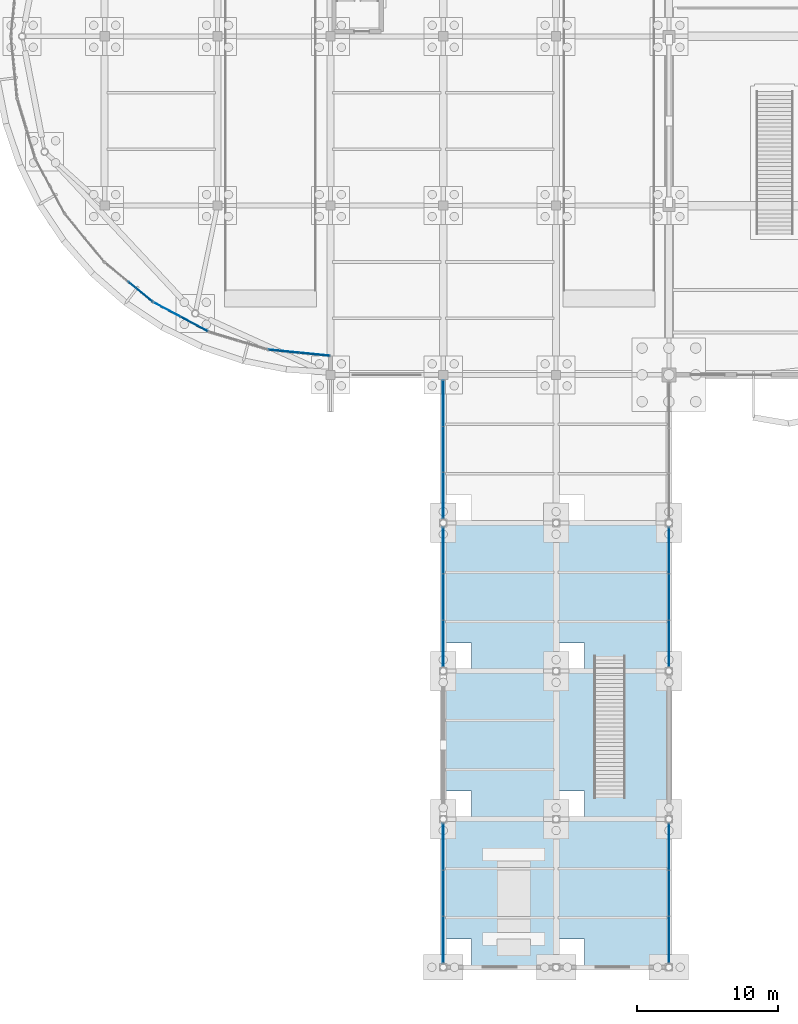
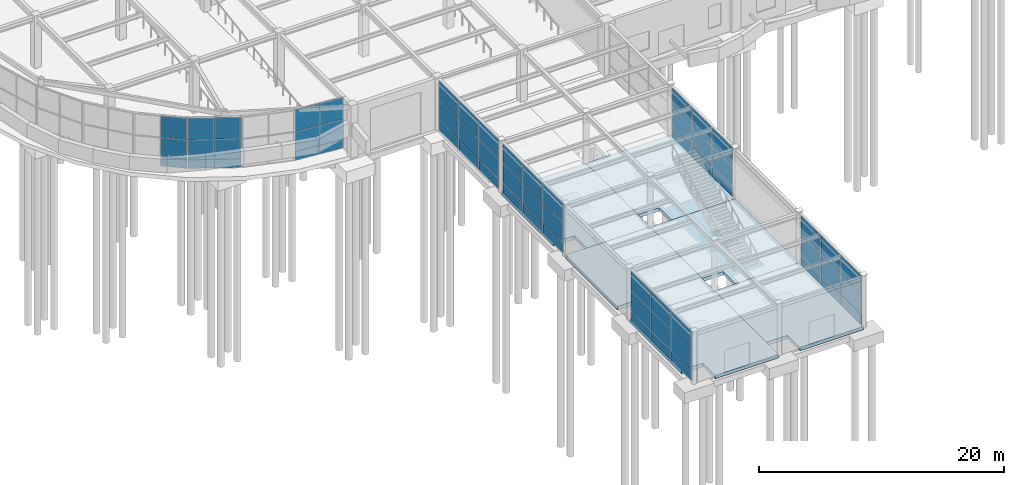
# One storey, part 51 of 85: 60 plates, 6 slabs, 8 elements without a shape of their own.
"""IFC4 building model written with IfcOpenShell, lengths in metres."""

from ifc_helpers import new_model, si_unit, direction, frame, origin, origin_2d, place, context, subcontext, project, spatial, polyline, rectangle, outline, extrude, material, layer, layer_set, type_object, element, aggregate, save


model = new_model("IFC4")

# Units and contexts
model_context = context("Model", 3, precision=1e-05, world=origin(), true_north=direction((0.0, 1.0)))
body_context = subcontext(model_context, "Body", "Model", "MODEL_VIEW")
ifc_project = project(units=[si_unit("LENGTHUNIT", "METRE"), si_unit("AREAUNIT", "SQUARE_METRE"), si_unit("VOLUMEUNIT", "CUBIC_METRE"), si_unit("PLANEANGLEUNIT", "RADIAN"), si_unit("MASSUNIT", "GRAM", prefix="KILO")], contexts=[model_context])

# Site, building, storey
site_placement = place(None, origin())
site = spatial("IfcSite", under=ifc_project, at=site_placement, CompositionType="ELEMENT")
building_placement = place(site_placement, origin())
building = spatial("IfcBuilding", under=site, at=building_placement, Name="Keelwater Ferry Terminal", CompositionType="ELEMENT")
storey_placement = place(building_placement, origin())
storey = spatial("IfcBuildingStorey", under=building, at=storey_placement, Name="L00", CompositionType="ELEMENT", Elevation=0.0)

# Curtain wall, plates
ifc_material_1 = material(Name="Thermally broken unitised aluminium and triple glass", Category="aluminium")
ifc_layer_1 = layer(ifc_material_1, 0.179931640625)
ifc_layer_set_1 = layer_set([ifc_layer_1], Name="Thermally broken unitised aluminium and triple glass")
curtain_wall_type_1 = type_object("IfcCurtainWallType", Name="CW-08 Unitised Curtain Wall 9842x4950", PredefinedType="USERDEFINED", material=ifc_layer_set_1)
curtain_wall_1_placement = place(storey_placement, origin())
curtain_wall_1 = element("IfcCurtainWall", 1, at=curtain_wall_1_placement, inside=storey, type_object=curtain_wall_type_1, Name="Unitised Curtain Wall CW-L00-047", ObjectType="UNITISED CURTAIN WALL", PredefinedType="USERDEFINED")
ifc_material_2 = material(Name="Insulated aluminium spandrel", Category="aluminium")
ifc_layer_2 = layer(ifc_material_2, 0.080078125)
ifc_layer_set_2 = layer_set([ifc_layer_2], Name="Insulated aluminium spandrel")
plate_type_1 = type_object("IfcPlateType", Name="CWP-S1 Insulated Spandrel Panel 80", PredefinedType="CURTAIN_PANEL", material=ifc_layer_set_2)
plate_1_placement = place(storey_placement, frame((32.0, 1.96923828125, 0.0), z_axis=(0.0, 0.0, 1.0), x_axis=(0.0, 1.0, 0.0)))
plate_1 = element("IfcPlate", 2, at=plate_1_placement, type_object=plate_type_1, Name="CW-L00-047 Panel 1.1", PredefinedType="CURTAIN_PANEL", context=body_context, shape_type="SweptSolid", body=[
    extrude(rectangle(XDim=3.28076171875, YDim=0.080078125, at=origin_2d()), origin(), (0.0, 0.0, 1.0), 1.0),
])
plate_2_placement = place(storey_placement, frame((32.0, 5.25, 0.0), z_axis=(0.0, 0.0, 1.0), x_axis=(0.0, 1.0, 0.0)))
plate_2 = element("IfcPlate", 3, at=plate_2_placement, type_object=plate_type_1, Name="CW-L00-047 Panel 2.1", PredefinedType="CURTAIN_PANEL", context=body_context, shape_type="SweptSolid", body=[
    extrude(rectangle(XDim=3.28076171875, YDim=0.080078125, at=origin_2d()), origin(), (0.0, 0.0, 1.0), 1.0),
])
plate_3_placement = place(storey_placement, frame((32.0, 8.53076171875, 0.0), z_axis=(0.0, 0.0, 1.0), x_axis=(0.0, 1.0, 0.0)))
plate_3 = element("IfcPlate", 4, at=plate_3_placement, type_object=plate_type_1, Name="CW-L00-047 Panel 3.1", PredefinedType="CURTAIN_PANEL", context=body_context, shape_type="SweptSolid", body=[
    extrude(rectangle(XDim=3.28076171875, YDim=0.080078125, at=origin_2d()), origin(), (0.0, 0.0, 1.0), 1.0),
])

curtain_wall_2_placement = place(storey_placement, origin())
curtain_wall_2 = element("IfcCurtainWall", 5, at=curtain_wall_2_placement, inside=storey, type_object=curtain_wall_type_1, Name="Unitised Curtain Wall CW-L00-049", ObjectType="UNITISED CURTAIN WALL", PredefinedType="USERDEFINED")
plate_4_placement = place(storey_placement, frame((32.0, 22.96923828125, 0.0), z_axis=(0.0, 0.0, 1.0), x_axis=(0.0, 1.0, 0.0)))
plate_4 = element("IfcPlate", 6, at=plate_4_placement, type_object=plate_type_1, Name="CW-L00-049 Panel 1.1", PredefinedType="CURTAIN_PANEL", context=body_context, shape_type="SweptSolid", body=[
    extrude(rectangle(XDim=3.28076171875, YDim=0.080078125, at=origin_2d()), origin(), (0.0, 0.0, 1.0), 1.0),
])
plate_5_placement = place(storey_placement, frame((32.0, 26.25, 0.0), z_axis=(0.0, 0.0, 1.0), x_axis=(0.0, 1.0, 0.0)))
plate_5 = element("IfcPlate", 7, at=plate_5_placement, type_object=plate_type_1, Name="CW-L00-049 Panel 2.1", PredefinedType="CURTAIN_PANEL", context=body_context, shape_type="SweptSolid", body=[
    extrude(rectangle(XDim=3.28076171875, YDim=0.080078125, at=origin_2d()), origin(), (0.0, 0.0, 1.0), 1.0),
])
plate_6_placement = place(storey_placement, frame((32.0, 29.53076171875, 0.0), z_axis=(0.0, 0.0, 1.0), x_axis=(0.0, 1.0, 0.0)))
plate_6 = element("IfcPlate", 8, at=plate_6_placement, type_object=plate_type_1, Name="CW-L00-049 Panel 3.1", PredefinedType="CURTAIN_PANEL", context=body_context, shape_type="SweptSolid", body=[
    extrude(rectangle(XDim=3.28076171875, YDim=0.080078125, at=origin_2d()), origin(), (0.0, 0.0, 1.0), 1.0),
])

ifc_material_3 = material(Name="Thermally broken unitised aluminium and triple glass", Category="aluminium")
ifc_layer_3 = layer(ifc_material_3, 0.179931640625)
ifc_layer_set_3 = layer_set([ifc_layer_3], Name="Thermally broken unitised aluminium and triple glass")
curtain_wall_type_2 = type_object("IfcCurtainWallType", Name="CW-10 Unitised Curtain Wall 9771x4950", PredefinedType="USERDEFINED", material=ifc_layer_set_3)
curtain_wall_3_placement = place(storey_placement, origin())
curtain_wall_3 = element("IfcCurtainWall", 9, at=curtain_wall_3_placement, inside=storey, type_object=curtain_wall_type_2, Name="Unitised Curtain Wall CW-L00-051", ObjectType="UNITISED CURTAIN WALL", PredefinedType="USERDEFINED")
plate_7_placement = place(storey_placement, frame((32.0, 33.45751953125, 0.0), z_axis=(0.0, 0.0, 1.0), x_axis=(0.0, 1.0, 0.0)))
plate_7 = element("IfcPlate", 10, at=plate_7_placement, type_object=plate_type_1, Name="CW-L00-051 Panel 1.1", PredefinedType="CURTAIN_PANEL", context=body_context, shape_type="SweptSolid", body=[
    extrude(rectangle(XDim=3.257080078125, YDim=0.080078125, at=origin_2d()), origin(), (0.0, 0.0, 1.0), 1.0),
])
plate_8_placement = place(storey_placement, frame((32.0, 36.714599609375, 0.0), z_axis=(0.0, 0.0, 1.0), x_axis=(0.0, 1.0, 0.0)))
plate_8 = element("IfcPlate", 11, at=plate_8_placement, type_object=plate_type_1, Name="CW-L00-051 Panel 2.1", PredefinedType="CURTAIN_PANEL", context=body_context, shape_type="SweptSolid", body=[
    extrude(rectangle(XDim=3.257080078125, YDim=0.080078125, at=origin_2d()), origin(), (0.0, 0.0, 1.0), 1.0),
])
plate_9_placement = place(storey_placement, frame((32.0, 39.971435546875, 0.0), z_axis=(0.0, 0.0, 1.0), x_axis=(0.0, 1.0, 0.0)))
plate_9 = element("IfcPlate", 12, at=plate_9_placement, type_object=plate_type_1, Name="CW-L00-051 Panel 3.1", PredefinedType="CURTAIN_PANEL", context=body_context, shape_type="SweptSolid", body=[
    extrude(rectangle(XDim=3.257080078125, YDim=0.080078125, at=origin_2d()), origin(), (0.0, 0.0, 1.0), 1.0),
])

curtain_wall_4_placement = place(storey_placement, origin())
curtain_wall_4 = element("IfcCurtainWall", 13, at=curtain_wall_4_placement, inside=storey, type_object=curtain_wall_type_1, Name="Unitised Curtain Wall CW-L00-053", ObjectType="UNITISED CURTAIN WALL", PredefinedType="USERDEFINED")
plate_10_placement = place(storey_placement, frame((48.0, 1.96923828125, 0.0), z_axis=(0.0, 0.0, 1.0), x_axis=(0.0, 1.0, 0.0)))
plate_10 = element("IfcPlate", 14, at=plate_10_placement, type_object=plate_type_1, Name="CW-L00-053 Panel 1.1", PredefinedType="CURTAIN_PANEL", context=body_context, shape_type="SweptSolid", body=[
    extrude(rectangle(XDim=3.28076171875, YDim=0.080078125, at=origin_2d()), origin(), (0.0, 0.0, 1.0), 1.0),
])
plate_11_placement = place(storey_placement, frame((48.0, 5.25, 0.0), z_axis=(0.0, 0.0, 1.0), x_axis=(0.0, 1.0, 0.0)))
plate_11 = element("IfcPlate", 15, at=plate_11_placement, type_object=plate_type_1, Name="CW-L00-053 Panel 2.1", PredefinedType="CURTAIN_PANEL", context=body_context, shape_type="SweptSolid", body=[
    extrude(rectangle(XDim=3.28076171875, YDim=0.080078125, at=origin_2d()), origin(), (0.0, 0.0, 1.0), 1.0),
])
plate_12_placement = place(storey_placement, frame((48.0, 8.53076171875, 0.0), z_axis=(0.0, 0.0, 1.0), x_axis=(0.0, 1.0, 0.0)))
plate_12 = element("IfcPlate", 16, at=plate_12_placement, type_object=plate_type_1, Name="CW-L00-053 Panel 3.1", PredefinedType="CURTAIN_PANEL", context=body_context, shape_type="SweptSolid", body=[
    extrude(rectangle(XDim=3.28076171875, YDim=0.080078125, at=origin_2d()), origin(), (0.0, 0.0, 1.0), 1.0),
])

curtain_wall_5_placement = place(storey_placement, origin())
curtain_wall_5 = element("IfcCurtainWall", 17, at=curtain_wall_5_placement, inside=storey, type_object=curtain_wall_type_1, Name="Unitised Curtain Wall CW-L00-055", ObjectType="UNITISED CURTAIN WALL", PredefinedType="USERDEFINED")
plate_13_placement = place(storey_placement, frame((48.0, 22.96923828125, 0.0), z_axis=(0.0, 0.0, 1.0), x_axis=(0.0, 1.0, 0.0)))
plate_13 = element("IfcPlate", 18, at=plate_13_placement, type_object=plate_type_1, Name="CW-L00-055 Panel 1.1", PredefinedType="CURTAIN_PANEL", context=body_context, shape_type="SweptSolid", body=[
    extrude(rectangle(XDim=3.28076171875, YDim=0.080078125, at=origin_2d()), origin(), (0.0, 0.0, 1.0), 1.0),
])
plate_14_placement = place(storey_placement, frame((48.0, 26.25, 0.0), z_axis=(0.0, 0.0, 1.0), x_axis=(0.0, 1.0, 0.0)))
plate_14 = element("IfcPlate", 19, at=plate_14_placement, type_object=plate_type_1, Name="CW-L00-055 Panel 2.1", PredefinedType="CURTAIN_PANEL", context=body_context, shape_type="SweptSolid", body=[
    extrude(rectangle(XDim=3.28076171875, YDim=0.080078125, at=origin_2d()), origin(), (0.0, 0.0, 1.0), 1.0),
])
plate_15_placement = place(storey_placement, frame((48.0, 29.53076171875, 0.0), z_axis=(0.0, 0.0, 1.0), x_axis=(0.0, 1.0, 0.0)))
plate_15 = element("IfcPlate", 20, at=plate_15_placement, type_object=plate_type_1, Name="CW-L00-055 Panel 3.1", PredefinedType="CURTAIN_PANEL", context=body_context, shape_type="SweptSolid", body=[
    extrude(rectangle(XDim=3.28076171875, YDim=0.080078125, at=origin_2d()), origin(), (0.0, 0.0, 1.0), 1.0),
])

# Curtain wall, plate
ifc_material_4 = material(Name="Thermally broken unitised aluminium and triple glass", Category="aluminium")
ifc_layer_4 = layer(ifc_material_4, 0.179931640625)
ifc_layer_set_4 = layer_set([ifc_layer_4], Name="Thermally broken unitised aluminium and triple glass")
curtain_wall_type_3 = type_object("IfcCurtainWallType", Name="CW-16 Unitised Curtain Wall 4350x5020", PredefinedType="USERDEFINED", material=ifc_layer_set_4)
curtain_wall_6_placement = place(storey_placement, origin())
curtain_wall_6 = element("IfcCurtainWall", 21, at=curtain_wall_6_placement, inside=storey, type_object=curtain_wall_type_3, Name="Unitised Curtain Wall CW-L00-089", ObjectType="UNITISED CURTAIN WALL", PredefinedType="USERDEFINED")
ifc_material_5 = material(Name="Insulated white cassette spandrel", Category="aluminium")
ifc_layer_5 = layer(ifc_material_5, 0.094970703125)
ifc_layer_set_5 = layer_set([ifc_layer_5], Name="Insulated white cassette spandrel")
plate_type_2 = type_object("IfcPlateType", Name="CWP-S2 Insulated Spandrel Panel 95", PredefinedType="CURTAIN_PANEL", material=ifc_layer_set_5)
plate_16_placement = place(storey_placement, frame((10.54052734375, 47.8857421875, 0.0), z_axis=(0.0, 0.0, 1.0), x_axis=(0.773024220086, -0.634376508991, 0.0)))
plate_16 = element("IfcPlate", 22, at=plate_16_placement, type_object=plate_type_2, Name="CW-L00-089 Panel 2.1", PredefinedType="CURTAIN_PANEL", context=body_context, shape_type="SweptSolid", body=[
    extrude(rectangle(XDim=2.174560546875, YDim=0.094970703125, at=origin_2d()), origin(), (0.0, 0.0, 1.0), 0.85009765625),
])

# Curtain wall, plates
curtain_wall_7_placement = place(storey_placement, origin())
curtain_wall_7 = element("IfcCurtainWall", 23, at=curtain_wall_7_placement, inside=storey, type_object=curtain_wall_type_3, Name="Unitised Curtain Wall CW-L00-090", ObjectType="UNITISED CURTAIN WALL", PredefinedType="USERDEFINED")
plate_17_placement = place(storey_placement, frame((12.4150390625, 46.63330078125, 0.0), z_axis=(0.0, 0.0, 1.0), x_axis=(0.881862452632, -0.471506749303, 0.0)))
plate_17 = element("IfcPlate", 24, at=plate_17_placement, type_object=plate_type_2, Name="CW-L00-090 Panel 1.1", PredefinedType="CURTAIN_PANEL", context=body_context, shape_type="SweptSolid", body=[
    extrude(rectangle(XDim=2.175048828125, YDim=0.094970703125, at=origin_2d()), origin(), (0.0, 0.0, 1.0), 0.85009765625),
])
plate_18_placement = place(storey_placement, frame((14.3330078125, 45.607666015625, 0.0), z_axis=(0.0, 0.0, 1.0), x_axis=(0.881862452632, -0.471506749303, 0.0)))
plate_18 = element("IfcPlate", 25, at=plate_18_placement, type_object=plate_type_2, Name="CW-L00-090 Panel 2.1", PredefinedType="CURTAIN_PANEL", context=body_context, shape_type="SweptSolid", body=[
    extrude(rectangle(XDim=2.175048828125, YDim=0.094970703125, at=origin_2d()), origin(), (0.0, 0.0, 1.0), 0.85009765625),
])

curtain_wall_8_placement = place(storey_placement, origin())
curtain_wall_8 = element("IfcCurtainWall", 26, at=curtain_wall_8_placement, inside=storey, type_object=curtain_wall_type_3, Name="Unitised Curtain Wall CW-L00-092", ObjectType="UNITISED CURTAIN WALL", PredefinedType="USERDEFINED")
plate_19_placement = place(storey_placement, frame((20.708251953125, 43.67431640625, 0.0), z_axis=(0.0, 0.0, 1.0), x_axis=(0.995170573079, -0.098160737969, 0.0)))
plate_19 = element("IfcPlate", 27, at=plate_19_placement, type_object=plate_type_2, Name="CW-L00-092 Panel 1.1", PredefinedType="CURTAIN_PANEL", context=body_context, shape_type="SweptSolid", body=[
    extrude(rectangle(XDim=2.175048828125, YDim=0.094970703125, at=origin_2d()), origin(), (0.0, 0.0, 1.0), 0.85009765625),
])
plate_20_placement = place(storey_placement, frame((22.872802734375, 43.460693359375, 0.0), z_axis=(0.0, 0.0, 1.0), x_axis=(0.995170573079, -0.098160737969, 0.0)))
plate_20 = element("IfcPlate", 28, at=plate_20_placement, type_object=plate_type_2, Name="CW-L00-092 Panel 2.1", PredefinedType="CURTAIN_PANEL", context=body_context, shape_type="SweptSolid", body=[
    extrude(rectangle(XDim=2.175048828125, YDim=0.094970703125, at=origin_2d()), origin(), (0.0, 0.0, 1.0), 0.85009765625),
])

# Plate
ifc_material_6 = material(Name="Triple low-E laminated glass", Category="glass")
ifc_layer_6 = layer(ifc_material_6, 0.035888671875)
ifc_layer_set_6 = layer_set([ifc_layer_6], Name="Triple low-E laminated glass")
plate_type_3 = type_object("IfcPlateType", Name="CWP-V1 Glazed Vision Panel 36", PredefinedType="CURTAIN_PANEL", material=ifc_layer_set_6)
plate_21_placement = place(storey_placement, frame((10.54052734375, 47.8857421875, 0.85009765625), z_axis=(0.0, 0.0, 1.0), x_axis=(0.773024220086, -0.634376508991, 0.0)))
plate_21 = element("IfcPlate", 29, at=plate_21_placement, type_object=plate_type_3, Name="CW-L00-089 Panel 2.2", PredefinedType="CURTAIN_PANEL", context=body_context, shape_type="SweptSolid", body=[
    extrude(rectangle(XDim=2.174560546875, YDim=0.035888671875, at=origin_2d()), origin(), (0.0, 0.0, 1.0), 2.0),
])

plate_22_placement = place(storey_placement, frame((10.54052734375, 47.8857421875, 2.85009765625), z_axis=(0.0, 0.0, 1.0), x_axis=(0.773024220086, -0.634376508991, 0.0)))
plate_22 = element("IfcPlate", 30, at=plate_22_placement, type_object=plate_type_3, Name="CW-L00-089 Panel 2.3", PredefinedType="CURTAIN_PANEL", context=body_context, shape_type="SweptSolid", body=[
    extrude(rectangle(XDim=2.174560546875, YDim=0.035888671875, at=origin_2d()), origin(), (0.0, 0.0, 1.0), 2.169921875),
])

aggregate(curtain_wall_6, [plate_16, plate_21, plate_22])

plate_23_placement = place(storey_placement, frame((12.4150390625, 46.63330078125, 0.85009765625), z_axis=(0.0, 0.0, 1.0), x_axis=(0.881862452632, -0.471506749303, 0.0)))
plate_23 = element("IfcPlate", 31, at=plate_23_placement, type_object=plate_type_3, Name="CW-L00-090 Panel 1.2", PredefinedType="CURTAIN_PANEL", context=body_context, shape_type="SweptSolid", body=[
    extrude(rectangle(XDim=2.175048828125, YDim=0.035888671875, at=origin_2d()), origin(), (0.0, 0.0, 1.0), 2.0),
])

plate_24_placement = place(storey_placement, frame((12.4150390625, 46.63330078125, 2.85009765625), z_axis=(0.0, 0.0, 1.0), x_axis=(0.881862452632, -0.471506749303, 0.0)))
plate_24 = element("IfcPlate", 32, at=plate_24_placement, type_object=plate_type_3, Name="CW-L00-090 Panel 1.3", PredefinedType="CURTAIN_PANEL", context=body_context, shape_type="SweptSolid", body=[
    extrude(rectangle(XDim=2.175048828125, YDim=0.035888671875, at=origin_2d()), origin(), (0.0, 0.0, 1.0), 2.169921875),
])

plate_25_placement = place(storey_placement, frame((14.3330078125, 45.607666015625, 0.85009765625), z_axis=(0.0, 0.0, 1.0), x_axis=(0.881862452632, -0.471506749303, 0.0)))
plate_25 = element("IfcPlate", 33, at=plate_25_placement, type_object=plate_type_3, Name="CW-L00-090 Panel 2.2", PredefinedType="CURTAIN_PANEL", context=body_context, shape_type="SweptSolid", body=[
    extrude(rectangle(XDim=2.175048828125, YDim=0.035888671875, at=origin_2d()), origin(), (0.0, 0.0, 1.0), 2.0),
])

plate_26_placement = place(storey_placement, frame((14.3330078125, 45.607666015625, 2.85009765625), z_axis=(0.0, 0.0, 1.0), x_axis=(0.881862452632, -0.471506749303, 0.0)))
plate_26 = element("IfcPlate", 34, at=plate_26_placement, type_object=plate_type_3, Name="CW-L00-090 Panel 2.3", PredefinedType="CURTAIN_PANEL", context=body_context, shape_type="SweptSolid", body=[
    extrude(rectangle(XDim=2.175048828125, YDim=0.035888671875, at=origin_2d()), origin(), (0.0, 0.0, 1.0), 2.169921875),
])

aggregate(curtain_wall_7, [plate_17, plate_23, plate_24, plate_18, plate_25, plate_26])

plate_27_placement = place(storey_placement, frame((20.708251953125, 43.67431640625, 0.85009765625), z_axis=(0.0, 0.0, 1.0), x_axis=(0.995170573079, -0.098160737969, 0.0)))
plate_27 = element("IfcPlate", 35, at=plate_27_placement, type_object=plate_type_3, Name="CW-L00-092 Panel 1.2", PredefinedType="CURTAIN_PANEL", context=body_context, shape_type="SweptSolid", body=[
    extrude(rectangle(XDim=2.175048828125, YDim=0.035888671875, at=origin_2d()), origin(), (0.0, 0.0, 1.0), 2.0),
])

plate_28_placement = place(storey_placement, frame((20.708251953125, 43.67431640625, 2.85009765625), z_axis=(0.0, 0.0, 1.0), x_axis=(0.995170573079, -0.098160737969, 0.0)))
plate_28 = element("IfcPlate", 36, at=plate_28_placement, type_object=plate_type_3, Name="CW-L00-092 Panel 1.3", PredefinedType="CURTAIN_PANEL", context=body_context, shape_type="SweptSolid", body=[
    extrude(rectangle(XDim=2.175048828125, YDim=0.035888671875, at=origin_2d()), origin(), (0.0, 0.0, 1.0), 2.169921875),
])

plate_29_placement = place(storey_placement, frame((22.872802734375, 43.460693359375, 0.85009765625), z_axis=(0.0, 0.0, 1.0), x_axis=(0.995170573079, -0.098160737969, 0.0)))
plate_29 = element("IfcPlate", 37, at=plate_29_placement, type_object=plate_type_3, Name="CW-L00-092 Panel 2.2", PredefinedType="CURTAIN_PANEL", context=body_context, shape_type="SweptSolid", body=[
    extrude(rectangle(XDim=2.175048828125, YDim=0.035888671875, at=origin_2d()), origin(), (0.0, 0.0, 1.0), 2.0),
])

plate_30_placement = place(storey_placement, frame((22.872802734375, 43.460693359375, 2.85009765625), z_axis=(0.0, 0.0, 1.0), x_axis=(0.995170573079, -0.098160737969, 0.0)))
plate_30 = element("IfcPlate", 38, at=plate_30_placement, type_object=plate_type_3, Name="CW-L00-092 Panel 2.3", PredefinedType="CURTAIN_PANEL", context=body_context, shape_type="SweptSolid", body=[
    extrude(rectangle(XDim=2.175048828125, YDim=0.035888671875, at=origin_2d()), origin(), (0.0, 0.0, 1.0), 2.169921875),
])

aggregate(curtain_wall_8, [plate_19, plate_27, plate_28, plate_20, plate_29, plate_30])

ifc_material_7 = material(Name="Acoustic marine triple glass", Category="glass")
ifc_layer_7 = layer(ifc_material_7, 0.048095703125)
ifc_layer_set_7 = layer_set([ifc_layer_7], Name="Acoustic marine triple glass")
plate_type_4 = type_object("IfcPlateType", Name="CWP-V3 Glazed Vision Panel 48", PredefinedType="CURTAIN_PANEL", material=ifc_layer_set_7)
plate_31_placement = place(storey_placement, frame((32.0, 1.96923828125, 1.0), z_axis=(0.0, 0.0, 1.0), x_axis=(0.0, 1.0, 0.0)))
plate_31 = element("IfcPlate", 39, at=plate_31_placement, type_object=plate_type_4, Name="CW-L00-047 Panel 1.2", PredefinedType="CURTAIN_PANEL", context=body_context, shape_type="SweptSolid", body=[
    extrude(rectangle(XDim=3.28076171875, YDim=0.048095703125, at=origin_2d()), origin(), (0.0, 0.0, 1.0), 2.0),
])

plate_32_placement = place(storey_placement, frame((32.0, 1.96923828125, 3.0), z_axis=(0.0, 0.0, 1.0), x_axis=(0.0, 1.0, 0.0)))
plate_32 = element("IfcPlate", 40, at=plate_32_placement, type_object=plate_type_4, Name="CW-L00-047 Panel 1.3", PredefinedType="CURTAIN_PANEL", context=body_context, shape_type="SweptSolid", body=[
    extrude(rectangle(XDim=3.28076171875, YDim=0.048095703125, at=origin_2d()), origin(), (0.0, 0.0, 1.0), 1.949951171875),
])

plate_33_placement = place(storey_placement, frame((32.0, 5.25, 1.0), z_axis=(0.0, 0.0, 1.0), x_axis=(0.0, 1.0, 0.0)))
plate_33 = element("IfcPlate", 41, at=plate_33_placement, type_object=plate_type_4, Name="CW-L00-047 Panel 2.2", PredefinedType="CURTAIN_PANEL", context=body_context, shape_type="SweptSolid", body=[
    extrude(rectangle(XDim=3.28076171875, YDim=0.048095703125, at=origin_2d()), origin(), (0.0, 0.0, 1.0), 2.0),
])

plate_34_placement = place(storey_placement, frame((32.0, 5.25, 3.0), z_axis=(0.0, 0.0, 1.0), x_axis=(0.0, 1.0, 0.0)))
plate_34 = element("IfcPlate", 42, at=plate_34_placement, type_object=plate_type_4, Name="CW-L00-047 Panel 2.3", PredefinedType="CURTAIN_PANEL", context=body_context, shape_type="SweptSolid", body=[
    extrude(rectangle(XDim=3.28076171875, YDim=0.048095703125, at=origin_2d()), origin(), (0.0, 0.0, 1.0), 1.949951171875),
])

plate_35_placement = place(storey_placement, frame((32.0, 8.53076171875, 1.0), z_axis=(0.0, 0.0, 1.0), x_axis=(0.0, 1.0, 0.0)))
plate_35 = element("IfcPlate", 43, at=plate_35_placement, type_object=plate_type_4, Name="CW-L00-047 Panel 3.2", PredefinedType="CURTAIN_PANEL", context=body_context, shape_type="SweptSolid", body=[
    extrude(rectangle(XDim=3.28076171875, YDim=0.048095703125, at=origin_2d()), origin(), (0.0, 0.0, 1.0), 2.0),
])

plate_36_placement = place(storey_placement, frame((32.0, 8.53076171875, 3.0), z_axis=(0.0, 0.0, 1.0), x_axis=(0.0, 1.0, 0.0)))
plate_36 = element("IfcPlate", 44, at=plate_36_placement, type_object=plate_type_4, Name="CW-L00-047 Panel 3.3", PredefinedType="CURTAIN_PANEL", context=body_context, shape_type="SweptSolid", body=[
    extrude(rectangle(XDim=3.28076171875, YDim=0.048095703125, at=origin_2d()), origin(), (0.0, 0.0, 1.0), 1.949951171875),
])

aggregate(curtain_wall_1, [plate_1, plate_31, plate_32, plate_2, plate_33, plate_34, plate_3, plate_35, plate_36])

plate_37_placement = place(storey_placement, frame((32.0, 22.96923828125, 1.0), z_axis=(0.0, 0.0, 1.0), x_axis=(0.0, 1.0, 0.0)))
plate_37 = element("IfcPlate", 45, at=plate_37_placement, type_object=plate_type_4, Name="CW-L00-049 Panel 1.2", PredefinedType="CURTAIN_PANEL", context=body_context, shape_type="SweptSolid", body=[
    extrude(rectangle(XDim=3.28076171875, YDim=0.048095703125, at=origin_2d()), origin(), (0.0, 0.0, 1.0), 2.0),
])

plate_38_placement = place(storey_placement, frame((32.0, 22.96923828125, 3.0), z_axis=(0.0, 0.0, 1.0), x_axis=(0.0, 1.0, 0.0)))
plate_38 = element("IfcPlate", 46, at=plate_38_placement, type_object=plate_type_4, Name="CW-L00-049 Panel 1.3", PredefinedType="CURTAIN_PANEL", context=body_context, shape_type="SweptSolid", body=[
    extrude(rectangle(XDim=3.28076171875, YDim=0.048095703125, at=origin_2d()), origin(), (0.0, 0.0, 1.0), 1.949951171875),
])

plate_39_placement = place(storey_placement, frame((32.0, 26.25, 1.0), z_axis=(0.0, 0.0, 1.0), x_axis=(0.0, 1.0, 0.0)))
plate_39 = element("IfcPlate", 47, at=plate_39_placement, type_object=plate_type_4, Name="CW-L00-049 Panel 2.2", PredefinedType="CURTAIN_PANEL", context=body_context, shape_type="SweptSolid", body=[
    extrude(rectangle(XDim=3.28076171875, YDim=0.048095703125, at=origin_2d()), origin(), (0.0, 0.0, 1.0), 2.0),
])

plate_40_placement = place(storey_placement, frame((32.0, 26.25, 3.0), z_axis=(0.0, 0.0, 1.0), x_axis=(0.0, 1.0, 0.0)))
plate_40 = element("IfcPlate", 48, at=plate_40_placement, type_object=plate_type_4, Name="CW-L00-049 Panel 2.3", PredefinedType="CURTAIN_PANEL", context=body_context, shape_type="SweptSolid", body=[
    extrude(rectangle(XDim=3.28076171875, YDim=0.048095703125, at=origin_2d()), origin(), (0.0, 0.0, 1.0), 1.949951171875),
])

plate_41_placement = place(storey_placement, frame((32.0, 29.53076171875, 1.0), z_axis=(0.0, 0.0, 1.0), x_axis=(0.0, 1.0, 0.0)))
plate_41 = element("IfcPlate", 49, at=plate_41_placement, type_object=plate_type_4, Name="CW-L00-049 Panel 3.2", PredefinedType="CURTAIN_PANEL", context=body_context, shape_type="SweptSolid", body=[
    extrude(rectangle(XDim=3.28076171875, YDim=0.048095703125, at=origin_2d()), origin(), (0.0, 0.0, 1.0), 2.0),
])

plate_42_placement = place(storey_placement, frame((32.0, 29.53076171875, 3.0), z_axis=(0.0, 0.0, 1.0), x_axis=(0.0, 1.0, 0.0)))
plate_42 = element("IfcPlate", 50, at=plate_42_placement, type_object=plate_type_4, Name="CW-L00-049 Panel 3.3", PredefinedType="CURTAIN_PANEL", context=body_context, shape_type="SweptSolid", body=[
    extrude(rectangle(XDim=3.28076171875, YDim=0.048095703125, at=origin_2d()), origin(), (0.0, 0.0, 1.0), 1.949951171875),
])

aggregate(curtain_wall_2, [plate_4, plate_37, plate_38, plate_5, plate_39, plate_40, plate_6, plate_41, plate_42])

plate_43_placement = place(storey_placement, frame((32.0, 33.45751953125, 1.0), z_axis=(0.0, 0.0, 1.0), x_axis=(0.0, 1.0, 0.0)))
plate_43 = element("IfcPlate", 51, at=plate_43_placement, type_object=plate_type_4, Name="CW-L00-051 Panel 1.2", PredefinedType="CURTAIN_PANEL", context=body_context, shape_type="SweptSolid", body=[
    extrude(rectangle(XDim=3.257080078125, YDim=0.048095703125, at=origin_2d()), origin(), (0.0, 0.0, 1.0), 2.0),
])

plate_44_placement = place(storey_placement, frame((32.0, 33.45751953125, 3.0), z_axis=(0.0, 0.0, 1.0), x_axis=(0.0, 1.0, 0.0)))
plate_44 = element("IfcPlate", 52, at=plate_44_placement, type_object=plate_type_4, Name="CW-L00-051 Panel 1.3", PredefinedType="CURTAIN_PANEL", context=body_context, shape_type="SweptSolid", body=[
    extrude(rectangle(XDim=3.257080078125, YDim=0.048095703125, at=origin_2d()), origin(), (0.0, 0.0, 1.0), 1.949951171875),
])

plate_45_placement = place(storey_placement, frame((32.0, 36.714599609375, 1.0), z_axis=(0.0, 0.0, 1.0), x_axis=(0.0, 1.0, 0.0)))
plate_45 = element("IfcPlate", 53, at=plate_45_placement, type_object=plate_type_4, Name="CW-L00-051 Panel 2.2", PredefinedType="CURTAIN_PANEL", context=body_context, shape_type="SweptSolid", body=[
    extrude(rectangle(XDim=3.257080078125, YDim=0.048095703125, at=origin_2d()), origin(), (0.0, 0.0, 1.0), 2.0),
])

plate_46_placement = place(storey_placement, frame((32.0, 36.714599609375, 3.0), z_axis=(0.0, 0.0, 1.0), x_axis=(0.0, 1.0, 0.0)))
plate_46 = element("IfcPlate", 54, at=plate_46_placement, type_object=plate_type_4, Name="CW-L00-051 Panel 2.3", PredefinedType="CURTAIN_PANEL", context=body_context, shape_type="SweptSolid", body=[
    extrude(rectangle(XDim=3.257080078125, YDim=0.048095703125, at=origin_2d()), origin(), (0.0, 0.0, 1.0), 1.949951171875),
])

plate_47_placement = place(storey_placement, frame((32.0, 39.971435546875, 1.0), z_axis=(0.0, 0.0, 1.0), x_axis=(0.0, 1.0, 0.0)))
plate_47 = element("IfcPlate", 55, at=plate_47_placement, type_object=plate_type_4, Name="CW-L00-051 Panel 3.2", PredefinedType="CURTAIN_PANEL", context=body_context, shape_type="SweptSolid", body=[
    extrude(rectangle(XDim=3.257080078125, YDim=0.048095703125, at=origin_2d()), origin(), (0.0, 0.0, 1.0), 2.0),
])

plate_48_placement = place(storey_placement, frame((32.0, 39.971435546875, 3.0), z_axis=(0.0, 0.0, 1.0), x_axis=(0.0, 1.0, 0.0)))
plate_48 = element("IfcPlate", 56, at=plate_48_placement, type_object=plate_type_4, Name="CW-L00-051 Panel 3.3", PredefinedType="CURTAIN_PANEL", context=body_context, shape_type="SweptSolid", body=[
    extrude(rectangle(XDim=3.257080078125, YDim=0.048095703125, at=origin_2d()), origin(), (0.0, 0.0, 1.0), 1.949951171875),
])

aggregate(curtain_wall_3, [plate_7, plate_43, plate_44, plate_8, plate_45, plate_46, plate_9, plate_47, plate_48])

plate_49_placement = place(storey_placement, frame((48.0, 1.96923828125, 1.0), z_axis=(0.0, 0.0, 1.0), x_axis=(0.0, 1.0, 0.0)))
plate_49 = element("IfcPlate", 57, at=plate_49_placement, type_object=plate_type_4, Name="CW-L00-053 Panel 1.2", PredefinedType="CURTAIN_PANEL", context=body_context, shape_type="SweptSolid", body=[
    extrude(rectangle(XDim=3.28076171875, YDim=0.048095703125, at=origin_2d()), origin(), (0.0, 0.0, 1.0), 2.0),
])

plate_50_placement = place(storey_placement, frame((48.0, 1.96923828125, 3.0), z_axis=(0.0, 0.0, 1.0), x_axis=(0.0, 1.0, 0.0)))
plate_50 = element("IfcPlate", 58, at=plate_50_placement, type_object=plate_type_4, Name="CW-L00-053 Panel 1.3", PredefinedType="CURTAIN_PANEL", context=body_context, shape_type="SweptSolid", body=[
    extrude(rectangle(XDim=3.28076171875, YDim=0.048095703125, at=origin_2d()), origin(), (0.0, 0.0, 1.0), 1.949951171875),
])

plate_51_placement = place(storey_placement, frame((48.0, 5.25, 1.0), z_axis=(0.0, 0.0, 1.0), x_axis=(0.0, 1.0, 0.0)))
plate_51 = element("IfcPlate", 59, at=plate_51_placement, type_object=plate_type_4, Name="CW-L00-053 Panel 2.2", PredefinedType="CURTAIN_PANEL", context=body_context, shape_type="SweptSolid", body=[
    extrude(rectangle(XDim=3.28076171875, YDim=0.048095703125, at=origin_2d()), origin(), (0.0, 0.0, 1.0), 2.0),
])

plate_52_placement = place(storey_placement, frame((48.0, 5.25, 3.0), z_axis=(0.0, 0.0, 1.0), x_axis=(0.0, 1.0, 0.0)))
plate_52 = element("IfcPlate", 60, at=plate_52_placement, type_object=plate_type_4, Name="CW-L00-053 Panel 2.3", PredefinedType="CURTAIN_PANEL", context=body_context, shape_type="SweptSolid", body=[
    extrude(rectangle(XDim=3.28076171875, YDim=0.048095703125, at=origin_2d()), origin(), (0.0, 0.0, 1.0), 1.949951171875),
])

plate_53_placement = place(storey_placement, frame((48.0, 8.53076171875, 1.0), z_axis=(0.0, 0.0, 1.0), x_axis=(0.0, 1.0, 0.0)))
plate_53 = element("IfcPlate", 61, at=plate_53_placement, type_object=plate_type_4, Name="CW-L00-053 Panel 3.2", PredefinedType="CURTAIN_PANEL", context=body_context, shape_type="SweptSolid", body=[
    extrude(rectangle(XDim=3.28076171875, YDim=0.048095703125, at=origin_2d()), origin(), (0.0, 0.0, 1.0), 2.0),
])

plate_54_placement = place(storey_placement, frame((48.0, 8.53076171875, 3.0), z_axis=(0.0, 0.0, 1.0), x_axis=(0.0, 1.0, 0.0)))
plate_54 = element("IfcPlate", 62, at=plate_54_placement, type_object=plate_type_4, Name="CW-L00-053 Panel 3.3", PredefinedType="CURTAIN_PANEL", context=body_context, shape_type="SweptSolid", body=[
    extrude(rectangle(XDim=3.28076171875, YDim=0.048095703125, at=origin_2d()), origin(), (0.0, 0.0, 1.0), 1.949951171875),
])

aggregate(curtain_wall_4, [plate_10, plate_49, plate_50, plate_11, plate_51, plate_52, plate_12, plate_53, plate_54])

plate_55_placement = place(storey_placement, frame((48.0, 22.96923828125, 1.0), z_axis=(0.0, 0.0, 1.0), x_axis=(0.0, 1.0, 0.0)))
plate_55 = element("IfcPlate", 63, at=plate_55_placement, type_object=plate_type_4, Name="CW-L00-055 Panel 1.2", PredefinedType="CURTAIN_PANEL", context=body_context, shape_type="SweptSolid", body=[
    extrude(rectangle(XDim=3.28076171875, YDim=0.048095703125, at=origin_2d()), origin(), (0.0, 0.0, 1.0), 2.0),
])

plate_56_placement = place(storey_placement, frame((48.0, 22.96923828125, 3.0), z_axis=(0.0, 0.0, 1.0), x_axis=(0.0, 1.0, 0.0)))
plate_56 = element("IfcPlate", 64, at=plate_56_placement, type_object=plate_type_4, Name="CW-L00-055 Panel 1.3", PredefinedType="CURTAIN_PANEL", context=body_context, shape_type="SweptSolid", body=[
    extrude(rectangle(XDim=3.28076171875, YDim=0.048095703125, at=origin_2d()), origin(), (0.0, 0.0, 1.0), 1.949951171875),
])

plate_57_placement = place(storey_placement, frame((48.0, 26.25, 1.0), z_axis=(0.0, 0.0, 1.0), x_axis=(0.0, 1.0, 0.0)))
plate_57 = element("IfcPlate", 65, at=plate_57_placement, type_object=plate_type_4, Name="CW-L00-055 Panel 2.2", PredefinedType="CURTAIN_PANEL", context=body_context, shape_type="SweptSolid", body=[
    extrude(rectangle(XDim=3.28076171875, YDim=0.048095703125, at=origin_2d()), origin(), (0.0, 0.0, 1.0), 2.0),
])

plate_58_placement = place(storey_placement, frame((48.0, 26.25, 3.0), z_axis=(0.0, 0.0, 1.0), x_axis=(0.0, 1.0, 0.0)))
plate_58 = element("IfcPlate", 66, at=plate_58_placement, type_object=plate_type_4, Name="CW-L00-055 Panel 2.3", PredefinedType="CURTAIN_PANEL", context=body_context, shape_type="SweptSolid", body=[
    extrude(rectangle(XDim=3.28076171875, YDim=0.048095703125, at=origin_2d()), origin(), (0.0, 0.0, 1.0), 1.949951171875),
])

plate_59_placement = place(storey_placement, frame((48.0, 29.53076171875, 1.0), z_axis=(0.0, 0.0, 1.0), x_axis=(0.0, 1.0, 0.0)))
plate_59 = element("IfcPlate", 67, at=plate_59_placement, type_object=plate_type_4, Name="CW-L00-055 Panel 3.2", PredefinedType="CURTAIN_PANEL", context=body_context, shape_type="SweptSolid", body=[
    extrude(rectangle(XDim=3.28076171875, YDim=0.048095703125, at=origin_2d()), origin(), (0.0, 0.0, 1.0), 2.0),
])

plate_60_placement = place(storey_placement, frame((48.0, 29.53076171875, 3.0), z_axis=(0.0, 0.0, 1.0), x_axis=(0.0, 1.0, 0.0)))
plate_60 = element("IfcPlate", 68, at=plate_60_placement, type_object=plate_type_4, Name="CW-L00-055 Panel 3.3", PredefinedType="CURTAIN_PANEL", context=body_context, shape_type="SweptSolid", body=[
    extrude(rectangle(XDim=3.28076171875, YDim=0.048095703125, at=origin_2d()), origin(), (0.0, 0.0, 1.0), 1.949951171875),
])

aggregate(curtain_wall_5, [plate_13, plate_55, plate_56, plate_14, plate_57, plate_58, plate_15, plate_59, plate_60])

# Slabs
ifc_material_8 = material(Name="Concrete C35/45", Category="concrete")
ifc_layer_8 = layer(ifc_material_8, 0.340087890625)
ifc_layer_set_8 = layer_set([ifc_layer_8], Name="Concrete C35/45")
slab_type = type_object("IfcSlabType", Name="SL-B340 Ground Base Slab 340", PredefinedType="BASESLAB", material=ifc_layer_set_8)
slab_1_placement = place(storey_placement, frame((0.0, 0.0, -0.340087890625)))
element("IfcSlab", 69, at=slab_1_placement, inside=storey, type_object=slab_type, Name="V3 West Berth Quay Bay Slab SL-L00-010", PredefinedType="BASESLAB", context=body_context, shape_type="SweptSolid", body=[
    extrude(outline(polyline([(34.0, 0.0), (40.0, 0.0), (40.0, 10.5), (32.0, 10.5), (32.0, 2.0), (34.0, 2.0), (34.0, 0.0)])), origin(), (0.0, 0.0, 1.0), 0.340087890625),
])
slab_2_placement = place(storey_placement, frame((0.0, 0.0, -0.340087890625)))
element("IfcSlab", 70, at=slab_2_placement, inside=storey, type_object=slab_type, Name="V3 West Berth Quay Bay Slab SL-L00-011", PredefinedType="BASESLAB", context=body_context, shape_type="SweptSolid", body=[
    extrude(outline(polyline([(34.0, 10.5), (40.0, 10.5), (40.0, 21.0), (32.0, 21.0), (32.0, 12.5), (34.0, 12.5), (34.0, 10.5)])), origin(), (0.0, 0.0, 1.0), 0.340087890625),
])
slab_3_placement = place(storey_placement, frame((0.0, 0.0, -0.340087890625)))
element("IfcSlab", 71, at=slab_3_placement, inside=storey, type_object=slab_type, Name="V3 West Berth Quay Bay Slab SL-L00-012", PredefinedType="BASESLAB", context=body_context, shape_type="SweptSolid", body=[
    extrude(outline(polyline([(34.0, 21.0), (40.0, 21.0), (40.0, 31.5), (32.0, 31.5), (32.0, 23.0), (34.0, 23.0), (34.0, 21.0)])), origin(), (0.0, 0.0, 1.0), 0.340087890625),
])
slab_4_placement = place(storey_placement, frame((0.0, 0.0, -0.340087890625)))
element("IfcSlab", 72, at=slab_4_placement, inside=storey, type_object=slab_type, Name="V3 West Berth Quay Bay Slab SL-L00-014", PredefinedType="BASESLAB", context=body_context, shape_type="SweptSolid", body=[
    extrude(outline(polyline([(42.0, 0.0), (48.0, 0.0), (48.0, 10.5), (40.0, 10.5), (40.0, 2.0), (42.0, 2.0), (42.0, 0.0)])), origin(), (0.0, 0.0, 1.0), 0.340087890625),
])
slab_5_placement = place(storey_placement, frame((0.0, 0.0, -0.340087890625)))
element("IfcSlab", 73, at=slab_5_placement, inside=storey, type_object=slab_type, Name="V3 West Berth Quay Bay Slab SL-L00-015", PredefinedType="BASESLAB", context=body_context, shape_type="SweptSolid", body=[
    extrude(outline(polyline([(42.0, 10.5), (48.0, 10.5), (48.0, 21.0), (40.0, 21.0), (40.0, 12.5), (42.0, 12.5), (42.0, 10.5)])), origin(), (0.0, 0.0, 1.0), 0.340087890625),
])
slab_6_placement = place(storey_placement, frame((0.0, 0.0, -0.340087890625)))
element("IfcSlab", 74, at=slab_6_placement, inside=storey, type_object=slab_type, Name="V3 West Berth Quay Bay Slab SL-L00-016", PredefinedType="BASESLAB", context=body_context, shape_type="SweptSolid", body=[
    extrude(outline(polyline([(42.0, 21.0), (48.0, 21.0), (48.0, 31.5), (40.0, 31.5), (40.0, 23.0), (42.0, 23.0), (42.0, 21.0)])), origin(), (0.0, 0.0, 1.0), 0.340087890625),
])

save(model, "model.ifc")
